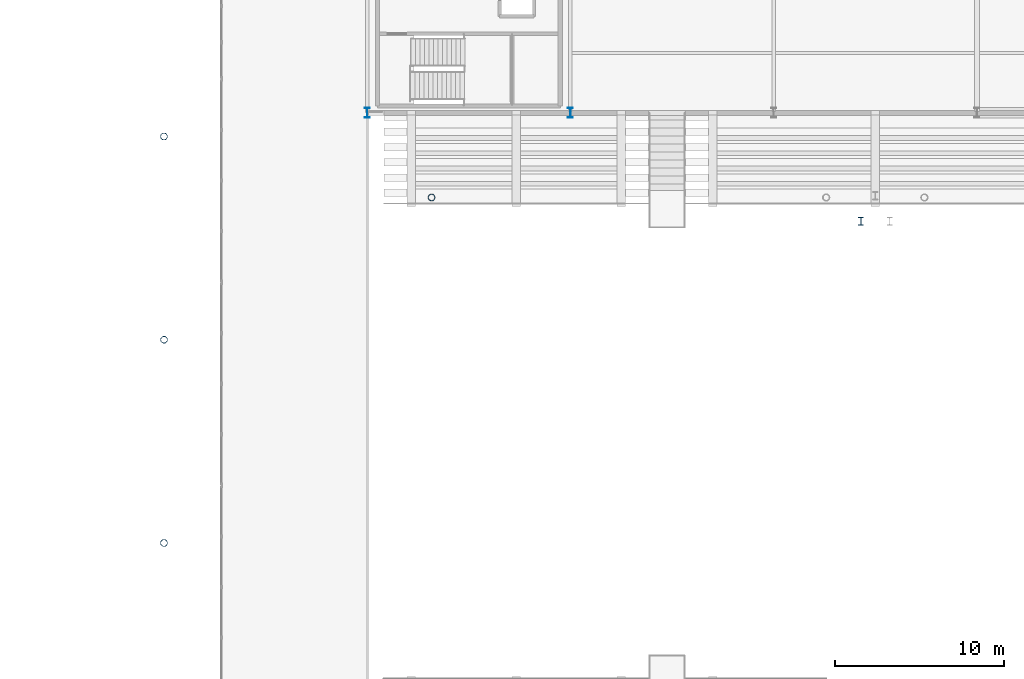
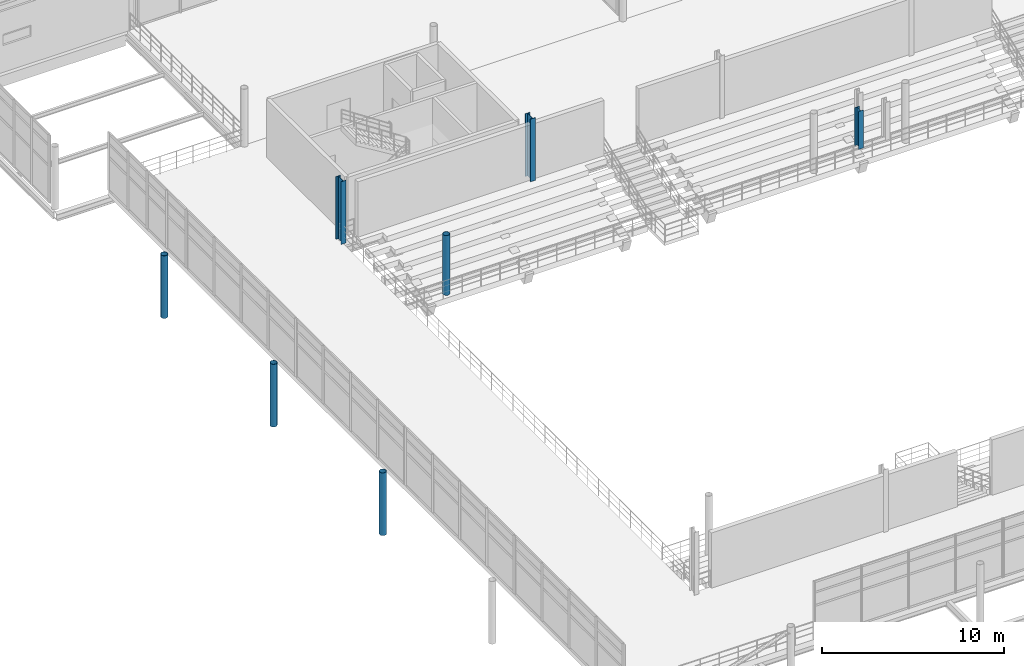
# One storey, part 3 of 89: 7 columns.
"""IFC4 building model written with IfcOpenShell, lengths in metres."""

from ifc_helpers import new_model, si_unit, direction, frame, origin, origin_2d, place, context, subcontext, project, spatial, hollow_circle, i_section, extrude, material, material_profile, profile_set, type_object, element, save


model = new_model("IFC4")

# Units and contexts
model_context = context("Model", 3, precision=1e-05, world=origin(), true_north=direction((0.0, 1.0)))
body_context = subcontext(model_context, "Body", "Model", "MODEL_VIEW")
ifc_project = project(units=[si_unit("LENGTHUNIT", "METRE"), si_unit("AREAUNIT", "SQUARE_METRE"), si_unit("VOLUMEUNIT", "CUBIC_METRE"), si_unit("PLANEANGLEUNIT", "RADIAN"), si_unit("MASSUNIT", "GRAM", prefix="KILO"), si_unit("THERMODYNAMICTEMPERATUREUNIT", "KELVIN"), si_unit("POWERUNIT", "WATT")], contexts=[model_context])

# Site, building, storey
site_placement = place(None, origin())
site = spatial("IfcSite", under=ifc_project, at=site_placement, CompositionType="ELEMENT")
building_placement = place(site_placement, origin())
building = spatial("IfcBuilding", under=site, at=building_placement, Name="Solmara Park Aquatics Centre", CompositionType="ELEMENT")
storey_placement = place(building_placement, frame((0.0, 0.0, 5.39990234375)))
storey = spatial("IfcBuildingStorey", under=building, at=storey_placement, Name="L01", CompositionType="ELEMENT", Elevation=5.39990234375)

# Columns
ifc_material = material(Name="Structural Steel S355", Category="steel")
ifc_material_profile_1 = material_profile(ifc_material, hollow_circle(Radius=0.203125, WallThickness=0.01611328125, at=origin_2d()), Name="CHS 406.4x16")
ifc_profile_set_1 = profile_set([ifc_material_profile_1], Name="Structural Steel S355")
column_type_1 = type_object("IfcColumnType", Name="STR-COL-CHS406", PredefinedType="COLUMN", material=ifc_profile_set_1)
for number, where, z_axis, x_axis, name in (
    (1, (12.60009765625, 36.60009765625, 0.0), (0.0, 0.0, 1.0), (1.0, 0.0, 0.0), "Column L01-0321"),
    (2, (12.60009765625, 48.60009765625, 0.0), (0.0, 0.0, 1.0), (1.0, 0.0, 0.0), "Column L01-0322"),
    (3, (12.60009765625, 60.60009765625, 0.0), (0.0, 0.0, 1.0), (1.0, 0.0, 0.0), "Column L01-0323"),
):
    element("IfcColumn", number, at=place(storey_placement, frame(where, z_axis=z_axis, x_axis=x_axis)), inside=storey, type_object=column_type_1, Name=name, PredefinedType="COLUMN", context=body_context, shape_type="SweptSolid", body=[
        extrude(hollow_circle(Radius=0.203125, WallThickness=0.01611328125, at=origin_2d()), origin(), (0.0, 0.0, 1.0), 4.2001953125),
    ])
column_1_placement = place(storey_placement, frame((28.39990234375, 57.0, -1.7998046875), z_axis=(0.0, 0.0, 1.0), x_axis=(1.0, 0.0, 0.0)))
element("IfcColumn", 4, at=column_1_placement, inside=storey, type_object=column_type_1, Name="Upper Stand Front Column L01 N1-1", PredefinedType="COLUMN", context=body_context, shape_type="SweptSolid", body=[
    extrude(hollow_circle(Radius=0.203125, WallThickness=0.01611328125, at=origin_2d()), origin(), (0.0, 0.0, 1.0), 4.0),
])
ifc_material_profile_2 = material_profile(ifc_material, i_section(OverallWidth=0.300048828125, OverallDepth=0.449951171875, WebThickness=0.013916015625, FlangeThickness=0.02587890625, FilletRadius=0.027099609375, at=origin_2d()), Name="HEB 450")
ifc_profile_set_2 = profile_set([ifc_material_profile_2], Name="Structural Steel S355")
column_type_2 = type_object("IfcColumnType", Name="STR-COL-HEB450", PredefinedType="COLUMN", material=ifc_profile_set_2)
column_2_placement = place(storey_placement, frame((53.75, 55.60009765625, 0.0), z_axis=(0.0, 0.0, 1.0), x_axis=(1.0, 0.0, 0.0)))
element("IfcColumn", 5, at=column_2_placement, inside=storey, type_object=column_type_2, Name="Vomitory Stair VS-05 Support Column 1", PredefinedType="COLUMN", context=body_context, shape_type="SweptSolid", body=[
    extrude(i_section(OverallWidth=0.300048828125, OverallDepth=0.449951171875, WebThickness=0.013916015625, FlangeThickness=0.02587890625, FilletRadius=0.027099609375, at=origin_2d()), origin(), (0.0, 0.0, 1.0), 2.5400390625),
])
ifc_material_profile_3 = material_profile(ifc_material, i_section(OverallWidth=0.300048828125, OverallDepth=0.60009765625, WebThickness=0.015380859375, FlangeThickness=0.030029296875, FilletRadius=0.027099609375, at=origin_2d()), Name="HEB 600")
ifc_profile_set_3 = profile_set([ifc_material_profile_3], Name="Structural Steel S355")
column_type_3 = type_object("IfcColumnType", Name="STR-COL-HEB600", PredefinedType="COLUMN", material=ifc_profile_set_3)
for number, where, z_axis, x_axis, name in (
    (6, (24.60009765625, 62.0, 0.0), (0.0, 0.0, 1.0), (1.0, 0.0, 0.0), "Column L01-0330"),
    (7, (36.60009765625, 62.0, 0.0), (0.0, 0.0, 1.0), (1.0, 0.0, 0.0), "Column L01-0340"),
):
    element("IfcColumn", number, at=place(storey_placement, frame(where, z_axis=z_axis, x_axis=x_axis)), inside=storey, type_object=column_type_3, Name=name, PredefinedType="COLUMN", context=body_context, shape_type="SweptSolid", body=[
        extrude(i_section(OverallWidth=0.300048828125, OverallDepth=0.60009765625, WebThickness=0.015380859375, FlangeThickness=0.030029296875, FilletRadius=0.027099609375, at=origin_2d()), origin(), (0.0, 0.0, 1.0), 4.2001953125),
    ])

save(model, "model.ifc")
